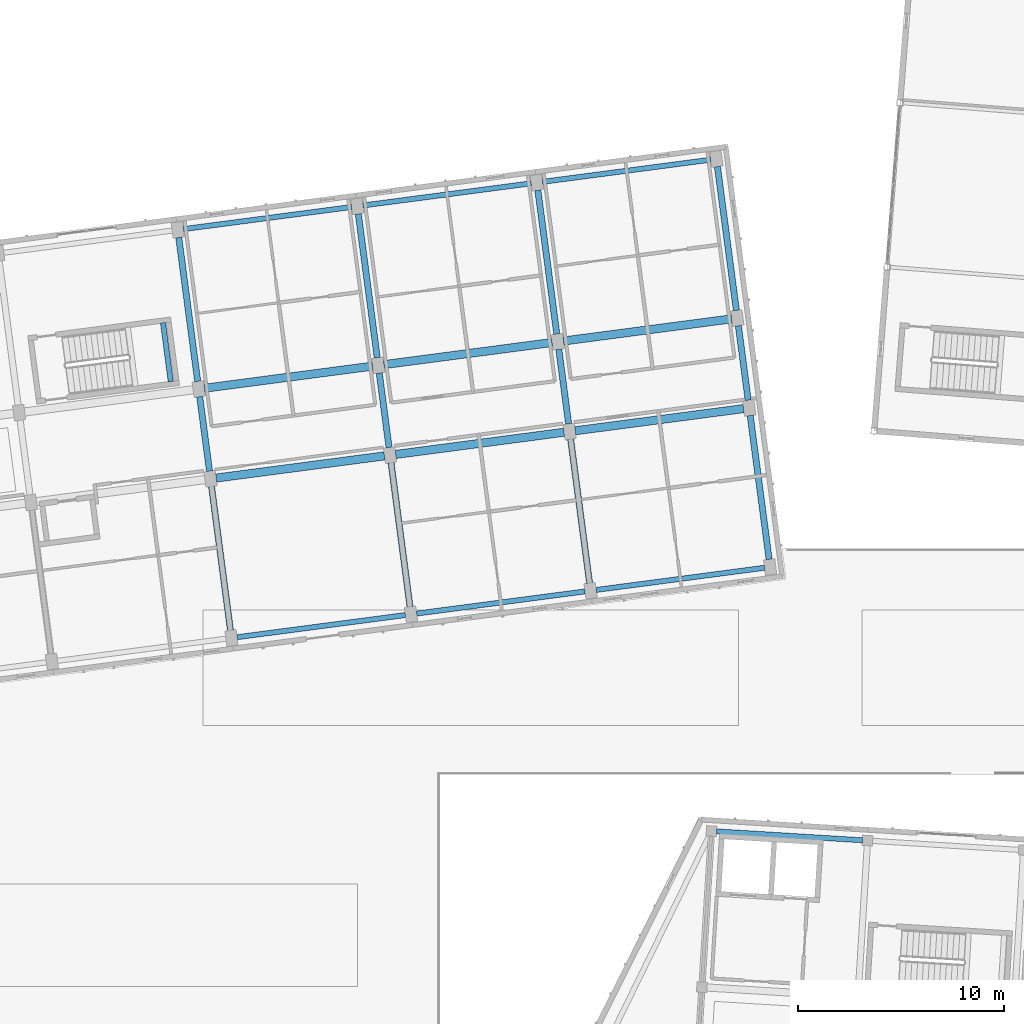
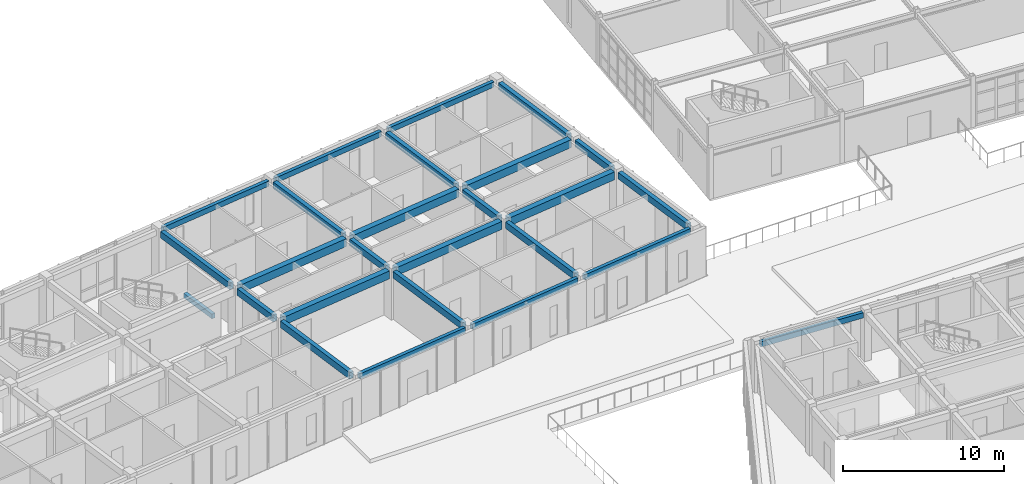
# One storey, part 40 of 150: 26 beams.
"""IFC4 building model written with IfcOpenShell, lengths in metres."""

import ifcopenshell
import ifcopenshell.guid

model = None  # the IFC model being written
_history = None  # IfcOwnerHistory: only IFC2X3 demands one
_inside = {}  # id of a spatial element -> (the spatial element, [elements in it])
_under = {}  # id of a project, library or spatial element -> (it, [spatial elements below it])
_declared = {}  # id of a project -> (the project, [libraries it declares])
_typed = {}  # id of a type object -> (the type object, [elements of that type])
_made_of = {}  # id of a material, layer set ... -> (it, [elements and type objects made of it])


def new_model(schema):
    """Start an empty IFC model of exactly this schema.

    Asked for "IFC4X3", IfcOpenShell would pick the latest addendum, in which some entities
    have other attributes; the version numbers below select the first issue.
    IFC2X3 requires an IfcOwnerHistory on every rooted entity: one is made here for all.
    """
    global model, _history
    if schema == "IFC4X3":
        model = ifcopenshell.file(schema_version=(4, 3, 0, 0))
    else:
        model = ifcopenshell.file(schema=schema)
    _inside.clear()
    _under.clear()
    _declared.clear()
    _typed.clear()
    _made_of.clear()
    _history = None
    if model.schema == "IFC2X3":
        org = make("IfcOrganization", Name="unknown")
        user = make(
            "IfcPersonAndOrganization",
            ThePerson=make("IfcPerson", FamilyName="unknown"),
            TheOrganization=org,
        )
        app = make(
            "IfcApplication",
            ApplicationDeveloper=org,
            Version="unknown",
            ApplicationFullName="unknown",
            ApplicationIdentifier="unknown",
        )
        _history = make(
            "IfcOwnerHistory",
            OwningUser=user,
            OwningApplication=app,
            ChangeAction="ADDED",
            CreationDate=0,
        )
    return model


def make(cls, **values):
    """One entity of the class cls with the attributes given. An attribute that is None is left unset."""
    return model.create_entity(
        cls, **{name: value for name, value in values.items() if value is not None}
    )


def rooted(cls, **values):
    """An entity with a GlobalId (a new one), such as an element, a storey or a relation."""
    return make(cls, GlobalId=ifcopenshell.guid.new(), OwnerHistory=_history, **values)


def si_unit(unit_type, name, prefix=None):
    """IfcSIUnit, for example si_unit("LENGTHUNIT", "METRE", prefix="MILLI")."""
    return make("IfcSIUnit", UnitType=unit_type, Prefix=prefix, Name=name)


def assignment(units):
    """IfcUnitAssignment: the units of a project."""
    return None if units is None else make("IfcUnitAssignment", Units=units)


def point(xyz):
    """IfcCartesianPoint."""
    return None if xyz is None else make("IfcCartesianPoint", Coordinates=xyz)


def direction(xyz):
    """IfcDirection."""
    return None if xyz is None else make("IfcDirection", DirectionRatios=xyz)


def frame(location, z_axis=None, x_axis=None):
    """IfcAxis2Placement3D, a coordinate frame: its origin and axes. An axis left out is left unset."""
    return make(
        "IfcAxis2Placement3D",
        Location=point(location),
        Axis=direction(z_axis),
        RefDirection=direction(x_axis),
    )


def frame_2d(location, x_axis=None):
    """IfcAxis2Placement2D, a coordinate frame in the plane: its origin and x axis."""
    return make(
        "IfcAxis2Placement2D", Location=point(location), RefDirection=direction(x_axis)
    )


def origin():
    """The frame at (0, 0, 0) with its axes left unset."""
    return frame((0.0, 0.0, 0.0))


def origin_2d():
    """The frame at (0, 0) in the plane with its x axis left unset."""
    return frame_2d((0.0, 0.0))


def place(relative_to, where):
    """IfcLocalPlacement: puts the frame where relative to a parent placement (None: the world)."""
    return make(
        "IfcLocalPlacement", PlacementRelTo=relative_to, RelativePlacement=where
    )


def context(
    kind, dimensions, precision=None, world=None, true_north=None, identifier=None
):
    """IfcGeometricRepresentationContext, for example the 3D "Model" context."""
    return make(
        "IfcGeometricRepresentationContext",
        ContextIdentifier=identifier,
        ContextType=kind,
        CoordinateSpaceDimension=dimensions,
        Precision=precision,
        WorldCoordinateSystem=world,
        TrueNorth=true_north,
    )


def subcontext(parent, identifier, kind, view, scale=None):
    """IfcGeometricRepresentationSubContext, for example "Body" below "Model"."""
    return make(
        "IfcGeometricRepresentationSubContext",
        ContextIdentifier=identifier,
        ContextType=kind,
        ParentContext=parent,
        TargetScale=scale,
        TargetView=view,
    )


def project(units=None, contexts=None):
    """IfcProject with its units and contexts."""
    return rooted(
        "IfcProject",
        Name="project",
        RepresentationContexts=contexts,
        UnitsInContext=assignment(units),
    )


def spatial(cls, under=None, at=None, **own):
    """A site, building, storey or space (cls), placed at a placement, below another one or the project."""
    s = rooted(cls, ObjectPlacement=at, **own)
    if under is not None:
        _under.setdefault(under.id(), (under, []))[1].append(s)
    return s


def profile(cls, at=None, kind="AREA", **sizes):
    """A parametric profile (cls). Its sizes go by their IFC names, for example OverallWidth=200.0."""
    return make(cls, ProfileType=kind, Position=at, **sizes)


def rectangle(**sizes):
    """IfcRectangleProfileDef."""
    return profile("IfcRectangleProfileDef", **sizes)


def extrude(swept, where, along, depth):
    """IfcExtrudedAreaSolid: the profile swept, set in the frame where, extruded along a direction by depth."""
    return make(
        "IfcExtrudedAreaSolid",
        SweptArea=swept,
        Position=where,
        ExtrudedDirection=direction(along),
        Depth=depth,
    )


def shape(context_of_items, identifier, shape_type, items):
    """IfcShapeRepresentation: the items that make up one representation, for example the "Body"."""
    return make(
        "IfcShapeRepresentation",
        ContextOfItems=context_of_items,
        RepresentationIdentifier=identifier,
        RepresentationType=shape_type,
        Items=items,
    )


def material(Name=None, Category=None):
    """IfcMaterial."""
    return make("IfcMaterial", Name=Name, Category=Category)


def material_profile(
    of_material, cross_section, Name=None, Category=None, Priority=None
):
    """IfcMaterialProfile: a cross section and its material."""
    return make(
        "IfcMaterialProfile",
        Name=Name,
        Material=of_material,
        Profile=cross_section,
        Priority=Priority,
        Category=Category,
    )


def profile_set(profiles, Name=None, composite=None):
    """IfcMaterialProfileSet."""
    return make(
        "IfcMaterialProfileSet",
        Name=Name,
        MaterialProfiles=profiles,
        CompositeProfile=composite,
    )


def made_of(thing, what):
    """Note that an element or type object is made of a material, layer set ...; save() writes the relation."""
    if what is not None:
        _made_of.setdefault(what.id(), (what, []))[1].append(thing)
    return thing


def type_object(cls, material=None, **own):
    """A type object (cls), such as IfcWallType, which elements share."""
    return made_of(rooted(cls, **own), material)


def element(
    cls,
    number,
    at=None,
    inside=None,
    cuts=None,
    type_object=None,
    material=None,
    context=None,
    identifier="Body",
    shape_type=None,
    held_by="IfcProductDefinitionShape",
    body=None,
    shapes=None,
    **own,
):
    """One element of the class cls, such as IfcWall. Its Tag is "e" and its number.

    at: its placement. inside: the storey or other place that contains it. cuts: it is an
    opening in that element (IfcRelVoidsElement). A single representation is given by context,
    identifier, shape_type and body (its items); several are given by shapes. held_by: the class
    of the entity that holds the representations. save() writes the other relations.
    """
    e = rooted(cls, Tag="e%d" % number, ObjectPlacement=at, **own)
    if body is not None:
        shapes = [shape(context, identifier, shape_type, body)]
    if shapes is not None:
        e.Representation = make(held_by, Representations=shapes)
    if inside is not None:
        _inside.setdefault(inside.id(), (inside, []))[1].append(e)
    if cuts is not None:
        rooted(
            "IfcRelVoidsElement", RelatingBuildingElement=cuts, RelatedOpeningElement=e
        )
    if type_object is not None:
        _typed.setdefault(type_object.id(), (type_object, []))[1].append(e)
    return made_of(e, material)


def aggregate(whole, parts):
    """IfcRelAggregates: a whole, such as a stair, and the parts it consists of."""
    return rooted("IfcRelAggregates", RelatingObject=whole, RelatedObjects=parts)


def save(model, path):
    """Write the relations noted so far, then the file.

    IfcRelAggregates (storeys below a building ...), IfcRelContainedInSpatialStructure (elements
    in a storey), IfcRelDefinesByType, IfcRelAssociatesMaterial and IfcRelDeclares: one each for
    every whole, place, type object, material and project.
    """
    for whole, parts in _under.values():
        aggregate(whole, parts)
    for where, things in _inside.values():
        rooted(
            "IfcRelContainedInSpatialStructure",
            RelatedElements=things,
            RelatingStructure=where,
        )
    for kind, things in _typed.values():
        rooted("IfcRelDefinesByType", RelatedObjects=things, RelatingType=kind)
    for what, things in _made_of.values():
        rooted("IfcRelAssociatesMaterial", RelatedObjects=things, RelatingMaterial=what)
    for by, libraries in _declared.values():
        rooted("IfcRelDeclares", RelatingContext=by, RelatedDefinitions=libraries)
    model.write(path)


model = new_model("IFC4")

# Units and contexts
model_context = context("Model", 3, precision=1e-05, world=origin(), true_north=direction((0.0, 1.0)))
body_context = subcontext(model_context, "Body", "Model", "MODEL_VIEW")
ifc_project = project(units=[si_unit("LENGTHUNIT", "METRE"), si_unit("AREAUNIT", "SQUARE_METRE"), si_unit("VOLUMEUNIT", "CUBIC_METRE"), si_unit("PLANEANGLEUNIT", "RADIAN"), si_unit("MASSUNIT", "GRAM", prefix="KILO")], contexts=[model_context])

# Site, building, storey
site_placement = place(None, origin())
site = spatial("IfcSite", under=ifc_project, at=site_placement, CompositionType="ELEMENT")
building_placement = place(site_placement, origin())
building = spatial("IfcBuilding", under=site, at=building_placement, Name="Kestramere Prow Commons", CompositionType="ELEMENT")
storey_placement = place(building_placement, frame((0.0, 0.0, 4.5)))
storey = spatial("IfcBuildingStorey", under=building, at=storey_placement, Name="L01", CompositionType="ELEMENT", Elevation=4.5)

# Beams
ifc_material_1 = material(Name="Precast concrete C40/50", Category="concrete")
ifc_material_profile_1 = material_profile(ifc_material_1, rectangle(XDim=0.39990234375, YDim=0.60009765625, at=origin_2d()), Name="PC-BM 400x600")
ifc_profile_set_1 = profile_set([ifc_material_profile_1], Name="Precast concrete C40/50")
beam_type_1 = type_object("IfcBeamType", Name="BM-A1 PC-BM 400x600", PredefinedType="BEAM", material=ifc_profile_set_1)
beam_1_placement = place(storey_placement, frame((36.628662109375, 83.215087890625, 3.35009765625), z_axis=(0.991443917843, 0.130533358852, 0.0), x_axis=(-0.130533358852, 0.991443917843, 0.0)))
element("IfcBeam", 1, at=beam_1_placement, inside=storey, type_object=beam_type_1, Name="Block A L01 Longitudinal Beam 2-4", PredefinedType="BEAM", context=body_context, shape_type="SweptSolid", body=[
    extrude(rectangle(XDim=0.39990234375, YDim=0.60009765625, at=origin_2d()), origin(), (0.0, 0.0, 1.0), 8.25),
])
beam_2_placement = place(storey_placement, frame((45.353515625, 84.36376953125, 3.35009765625), z_axis=(0.991447243185, 0.130508099291, 0.0), x_axis=(-0.130508099291, 0.991447243185, 0.0)))
element("IfcBeam", 2, at=beam_2_placement, inside=storey, type_object=beam_type_1, Name="Block A L01 Longitudinal Beam 2-5", PredefinedType="BEAM", context=body_context, shape_type="SweptSolid", body=[
    extrude(rectangle(XDim=0.39990234375, YDim=0.60009765625, at=origin_2d()), origin(), (0.0, 0.0, 1.0), 8.249755859375),
])
for number, where, z_axis, x_axis, name in (
    (3, (54.078125, 85.51220703125, 3.35009765625), (0.991443917843, 0.130533358852, 0.0), (-0.130533358852, 0.991443917843, 0.0), "Block A L01 Longitudinal Beam 2-6"),
    (4, (36.054443359375, 87.577392578125, 3.35009765625), (0.991443917843, 0.130533358852, 0.0), (-0.130533358852, 0.991443917843, 0.0), "Block A L01 Longitudinal Beam 3-4"),
    (5, (44.779052734375, 88.72607421875, 3.35009765625), (0.991443917843, 0.130533358852, 0.0), (-0.130533358852, 0.991443917843, 0.0), "Block A L01 Longitudinal Beam 3-5"),
):
    element("IfcBeam", number, at=place(storey_placement, frame(where, z_axis=z_axis, x_axis=x_axis)), inside=storey, type_object=beam_type_1, Name=name, PredefinedType="BEAM", context=body_context, shape_type="SweptSolid", body=[
        extrude(rectangle(XDim=0.39990234375, YDim=0.60009765625, at=origin_2d()), origin(), (0.0, 0.0, 1.0), 8.25),
    ])
beam_3_placement = place(storey_placement, frame((53.50390625, 89.874755859375, 3.35009765625), z_axis=(0.991447243185, 0.130508099291, 0.0), x_axis=(-0.130508099291, 0.991447243185, 0.0)))
element("IfcBeam", 6, at=beam_3_placement, inside=storey, type_object=beam_type_1, Name="Block A L01 Longitudinal Beam 3-6", PredefinedType="BEAM", context=body_context, shape_type="SweptSolid", body=[
    extrude(rectangle(XDim=0.39990234375, YDim=0.60009765625, at=origin_2d()), origin(), (0.0, 0.0, 1.0), 8.249755859375),
])
ifc_material_2 = material(Name="Concrete C40/50", Category="concrete")
ifc_material_profile_2 = material_profile(ifc_material_2, rectangle(XDim=0.25, YDim=0.35009765625, at=origin_2d()), Name="PC-BM 250x350")
ifc_profile_set_2 = profile_set([ifc_material_profile_2], Name="Concrete C40/50")
beam_type_2 = type_object("IfcBeamType", Name="BM-ST-TRIM", PredefinedType="BEAM", material=ifc_profile_set_2)
beam_4_placement = place(storey_placement, frame((34.423583984375, 87.897216796875, 1.574951171875), z_axis=(-0.130509140242, 0.99144710616, 0.0), x_axis=(-0.99144710616, -0.130509140242, 0.0)))
element("IfcBeam", 7, at=beam_4_placement, inside=storey, type_object=beam_type_2, Name="ST-A2 L01 Landing Trimmer Beam 1B", PredefinedType="BEAM", context=body_context, shape_type="SweptSolid", body=[
    extrude(rectangle(XDim=0.25, YDim=0.35009765625, at=origin_2d()), origin(), (0.0, 0.0, 1.0), 2.89013671875),
])
ifc_material_profile_3 = material_profile(ifc_material_1, rectangle(XDim=0.300048828125, YDim=0.5, at=origin_2d()), Name="PC-BM 300x500")
ifc_profile_set_3 = profile_set([ifc_material_profile_3], Name="Precast concrete C40/50")
beam_type_3 = type_object("IfcBeamType", Name="BM-TIE-01 PC-BM 300x500", PredefinedType="BEAM", material=ifc_profile_set_3)
beam_5_placement = place(storey_placement, frame((37.3251953125, 75.817626953125, 3.39990234375), z_axis=(-0.130519009654, 0.99144580695, 0.0), x_axis=(-0.99144580695, -0.130519009654, 0.0)))
element("IfcBeam", 8, at=beam_5_placement, inside=storey, type_object=beam_type_3, Name="Block A L01 Transverse Beam 4-1", PredefinedType="BEAM", context=body_context, shape_type="SweptSolid", body=[
    extrude(rectangle(XDim=0.300048828125, YDim=0.5, at=origin_2d()), origin(), (0.0, 0.0, 1.0), 7.050048828125),
])
beam_6_placement = place(storey_placement, frame((36.30712890625, 83.551025390625, 3.39990234375), z_axis=(-0.130568711427, 0.991439262687, 0.0), x_axis=(-0.991439262687, -0.130568711427, 0.0)))
element("IfcBeam", 9, at=beam_6_placement, inside=storey, type_object=beam_type_3, Name="Block A L01 Transverse Beam 4-2", PredefinedType="BEAM", context=body_context, shape_type="SweptSolid", body=[
    extrude(rectangle(XDim=0.300048828125, YDim=0.5, at=origin_2d()), origin(), (0.0, 0.0, 1.0), 3.64990234375),
])
for number, where, z_axis, x_axis, name in (
    (10, (35.732666015625, 87.913330078125, 3.39990234375), (-0.130519009654, 0.99144580695, 0.0), (-0.99144580695, -0.130519009654, 0.0), "Block A L01 Transverse Beam 4-3"),
    (11, (46.0498046875, 76.96630859375, 3.39990234375), (-0.130519009654, 0.99144580695, 0.0), (-0.99144580695, -0.130519009654, 0.0), "Block A L01 Transverse Beam 5-1"),
):
    element("IfcBeam", number, at=place(storey_placement, frame(where, z_axis=z_axis, x_axis=x_axis)), inside=storey, type_object=beam_type_3, Name=name, PredefinedType="BEAM", context=body_context, shape_type="SweptSolid", body=[
        extrude(rectangle(XDim=0.300048828125, YDim=0.5, at=origin_2d()), origin(), (0.0, 0.0, 1.0), 7.050048828125),
    ])
beam_7_placement = place(storey_placement, frame((45.03173828125, 84.699462890625, 3.39990234375), z_axis=(-0.130494307047, 0.991449058615, 0.0), x_axis=(-0.991449058615, -0.130494307047, 0.0)))
element("IfcBeam", 12, at=beam_7_placement, inside=storey, type_object=beam_type_3, Name="Block A L01 Transverse Beam 5-2", PredefinedType="BEAM", context=body_context, shape_type="SweptSolid", body=[
    extrude(rectangle(XDim=0.300048828125, YDim=0.5, at=origin_2d()), origin(), (0.0, 0.0, 1.0), 3.650146484375),
])
beam_8_placement = place(storey_placement, frame((44.45751953125, 89.06201171875, 3.39990234375), z_axis=(-0.130523490966, 0.991445216997, 0.0), x_axis=(-0.991445216997, -0.130523490966, 0.0)))
element("IfcBeam", 13, at=beam_8_placement, inside=storey, type_object=beam_type_3, Name="Block A L01 Transverse Beam 5-3", PredefinedType="BEAM", context=body_context, shape_type="SweptSolid", body=[
    extrude(rectangle(XDim=0.300048828125, YDim=0.5, at=origin_2d()), origin(), (0.0, 0.0, 1.0), 7.0498046875),
])
beam_9_placement = place(storey_placement, frame((54.774658203125, 78.114990234375, 3.39990234375), z_axis=(-0.130519009654, 0.99144580695, 0.0), x_axis=(-0.99144580695, -0.130519009654, 0.0)))
element("IfcBeam", 14, at=beam_9_placement, inside=storey, type_object=beam_type_3, Name="Block A L01 Transverse Beam 6-1", PredefinedType="BEAM", context=body_context, shape_type="SweptSolid", body=[
    extrude(rectangle(XDim=0.300048828125, YDim=0.5, at=origin_2d()), origin(), (0.0, 0.0, 1.0), 7.050048828125),
])
beam_10_placement = place(storey_placement, frame((53.756591796875, 85.84814453125, 3.39990234375), z_axis=(-0.13056005306, 0.991440402921, 0.0), x_axis=(-0.991440402921, -0.13056005306, 0.0)))
element("IfcBeam", 15, at=beam_10_placement, inside=storey, type_object=beam_type_3, Name="Block A L01 Transverse Beam 6-2", PredefinedType="BEAM", context=body_context, shape_type="SweptSolid", body=[
    extrude(rectangle(XDim=0.300048828125, YDim=0.5, at=origin_2d()), origin(), (0.0, 0.0, 1.0), 3.650146484375),
])
for number, where, z_axis, x_axis, name in (
    (16, (53.18212890625, 90.210693359375, 3.39990234375), (-0.130523490966, 0.991445216997, 0.0), (-0.991445216997, -0.130523490966, 0.0), "Block A L01 Transverse Beam 6-3"),
    (17, (63.499267578125, 79.263671875, 3.39990234375), (-0.130523490966, 0.991445216997, 0.0), (-0.991445216997, -0.130523490966, 0.0), "Block A L01 Transverse Beam 7-1"),
):
    element("IfcBeam", number, at=place(storey_placement, frame(where, z_axis=z_axis, x_axis=x_axis)), inside=storey, type_object=beam_type_3, Name=name, PredefinedType="BEAM", context=body_context, shape_type="SweptSolid", body=[
        extrude(rectangle(XDim=0.300048828125, YDim=0.5, at=origin_2d()), origin(), (0.0, 0.0, 1.0), 7.0498046875),
    ])
beam_11_placement = place(storey_placement, frame((62.481201171875, 86.996826171875, 3.39990234375), z_axis=(-0.130494307047, 0.991449058615, 0.0), x_axis=(-0.991449058615, -0.130494307047, 0.0)))
element("IfcBeam", 18, at=beam_11_placement, inside=storey, type_object=beam_type_3, Name="Block A L01 Transverse Beam 7-2", PredefinedType="BEAM", context=body_context, shape_type="SweptSolid", body=[
    extrude(rectangle(XDim=0.300048828125, YDim=0.5, at=origin_2d()), origin(), (0.0, 0.0, 1.0), 3.650146484375),
])
beam_12_placement = place(storey_placement, frame((61.906982421875, 91.359130859375, 3.39990234375), z_axis=(-0.130519009654, 0.99144580695, 0.0), x_axis=(-0.99144580695, -0.130519009654, 0.0)))
element("IfcBeam", 19, at=beam_12_placement, inside=storey, type_object=beam_type_3, Name="Block A L01 Transverse Beam 7-3", PredefinedType="BEAM", context=body_context, shape_type="SweptSolid", body=[
    extrude(rectangle(XDim=0.300048828125, YDim=0.5, at=origin_2d()), origin(), (0.0, 0.0, 1.0), 7.050048828125),
])
ifc_material_profile_4 = material_profile(ifc_material_1, rectangle(XDim=0.25, YDim=0.39990234375, at=origin_2d()), Name="PC-SP 250x400")
ifc_profile_set_4 = profile_set([ifc_material_profile_4], Name="Precast concrete C40/50")
beam_type_4 = type_object("IfcBeamType", Name="SP-EXT-01 PC-SP 250x400", PredefinedType="SPANDREL", material=ifc_profile_set_4)
for number, where, z_axis, x_axis, name in (
    (20, (37.646728515625, 75.481689453125, 3.449951171875), (0.991443917843, 0.130533358852, 0.0), (-0.130533358852, 0.991443917843, 0.0), "Block A L01 Longitudinal Beam 1-4"),
    (21, (46.37158203125, 76.63037109375, 3.449951171875), (0.991443917843, 0.130533358852, 0.0), (-0.130533358852, 0.991443917843, 0.0), "Block A L01 Longitudinal Beam 1-5"),
    (22, (55.09619140625, 77.779052734375, 3.449951171875), (0.991443917843, 0.130533358852, 0.0), (-0.130533358852, 0.991443917843, 0.0), "Block A L01 Longitudinal Beam 1-6"),
):
    element("IfcBeam", number, at=place(storey_placement, frame(where, z_axis=z_axis, x_axis=x_axis)), inside=storey, type_object=beam_type_4, Name=name, PredefinedType="SPANDREL", context=body_context, shape_type="SweptSolid", body=[
        extrude(rectangle(XDim=0.25, YDim=0.39990234375, at=origin_2d()), origin(), (0.0, 0.0, 1.0), 8.25),
    ])
beam_13_placement = place(storey_placement, frame((35.036376953125, 95.310791015625, 3.449951171875), z_axis=(0.991447243185, 0.130508099291, 0.0), x_axis=(-0.130508099291, 0.991447243185, 0.0)))
element("IfcBeam", 23, at=beam_13_placement, inside=storey, type_object=beam_type_4, Name="Block A L01 Longitudinal Beam 4-4", PredefinedType="SPANDREL", context=body_context, shape_type="SweptSolid", body=[
    extrude(rectangle(XDim=0.25, YDim=0.39990234375, at=origin_2d()), origin(), (0.0, 0.0, 1.0), 8.249755859375),
])
for number, where, z_axis, x_axis, name in (
    (24, (43.760986328125, 96.459228515625, 3.449951171875), (0.991443917843, 0.130533358852, 0.0), (-0.130533358852, 0.991443917843, 0.0), "Block A L01 Longitudinal Beam 4-5"),
    (25, (52.485595703125, 97.60791015625, 3.449951171875), (0.991443917843, 0.130533358852, 0.0), (-0.130533358852, 0.991443917843, 0.0), "Block A L01 Longitudinal Beam 4-6"),
):
    element("IfcBeam", number, at=place(storey_placement, frame(where, z_axis=z_axis, x_axis=x_axis)), inside=storey, type_object=beam_type_4, Name=name, PredefinedType="SPANDREL", context=body_context, shape_type="SweptSolid", body=[
        extrude(rectangle(XDim=0.25, YDim=0.39990234375, at=origin_2d()), origin(), (0.0, 0.0, 1.0), 8.25),
    ])
beam_14_placement = place(storey_placement, frame((60.946044921875, 66.048095703125, 3.449951171875), z_axis=(0.99813569621, -0.061033859059, 0.0), x_axis=(0.061033859059, 0.99813569621, 0.0)))
element("IfcBeam", 26, at=beam_14_placement, inside=storey, type_object=beam_type_4, Name="Block C L01 Longitudinal Beam 4-1", PredefinedType="SPANDREL", context=body_context, shape_type="SweptSolid", body=[
    extrude(rectangle(XDim=0.25, YDim=0.39990234375, at=origin_2d()), origin(), (0.0, 0.0, 1.0), 7.10009765625),
])

save(model, "model.ifc")
